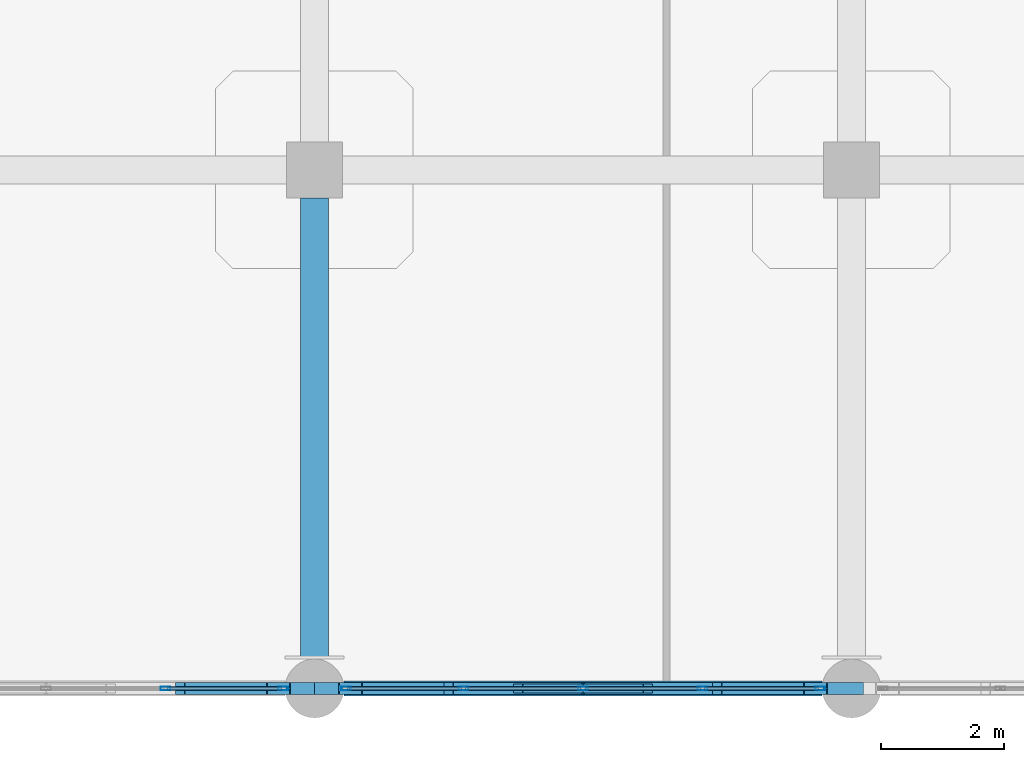
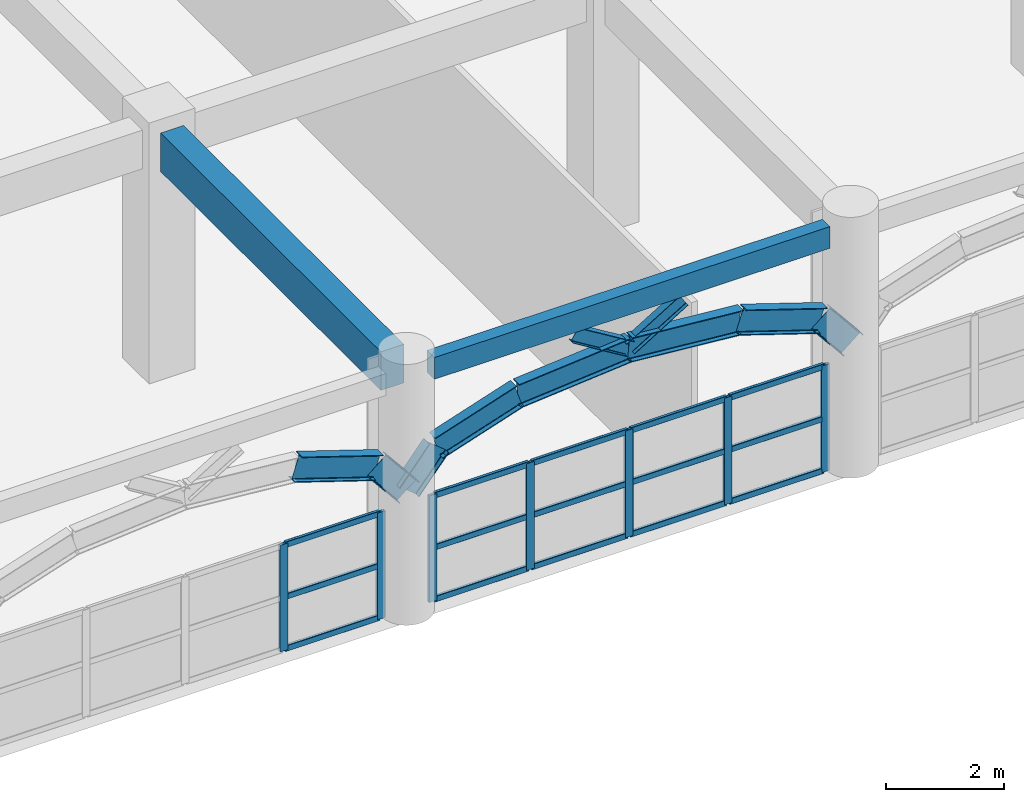
# One storey, part 12 of 114: 24 members, 10 beams, 2 elements without a shape of their own.
"""IFC4 building model written with IfcOpenShell, lengths in metres."""

from ifc_helpers import new_model, si_unit, derived_unit, direction, frame, origin, origin_2d, place, context, subcontext, project, spatial, rectangle, hollow_rectangle, i_section, extrude, material, layer, layer_set, material_profile, profile_set, type_object, element, aggregate, save


model = new_model("IFC4")

# Units and contexts
model_context = context("Model", 3, precision=1e-05, world=origin(), true_north=direction((0.0, 1.0)))
body_context = subcontext(model_context, "Body", "Model", "MODEL_VIEW")
ifc_project = project(units=[si_unit("LENGTHUNIT", "METRE"), si_unit("AREAUNIT", "SQUARE_METRE"), si_unit("VOLUMEUNIT", "CUBIC_METRE"), si_unit("PLANEANGLEUNIT", "RADIAN"), si_unit("MASSUNIT", "GRAM", prefix="KILO"), derived_unit("THERMALTRANSMITTANCEUNIT", [(si_unit("MASSUNIT", "GRAM", prefix="KILO"), 1), (si_unit("TIMEUNIT", "SECOND"), -3), (si_unit("THERMODYNAMICTEMPERATUREUNIT", "KELVIN"), -1)])], contexts=[model_context])

# Site, building, storey
site_placement = place(None, origin())
site = spatial("IfcSite", under=ifc_project, at=site_placement, CompositionType="ELEMENT")
building_placement = place(site_placement, origin())
building = spatial("IfcBuilding", under=site, at=building_placement, Name="Qinzheling Arcade Emporium", CompositionType="ELEMENT")
storey_placement = place(building_placement, frame((0.0, 0.0, 6.0)))
storey = spatial("IfcBuildingStorey", under=building, at=storey_placement, Name="L02", CompositionType="ELEMENT", Elevation=6.0)

# Beams
ifc_material_1 = material(Name="Weathering steel Q355NH", Category="steel")
ifc_material_profile_1 = material_profile(ifc_material_1, i_section(OverallWidth=0.199951171875, OverallDepth=0.5, WebThickness=0.010009765625, FlangeThickness=0.01611328125, FilletRadius=0.01806640625, at=origin_2d()), Name="HN 500x200x10x16", Category="steel")
ifc_profile_set_1 = profile_set([ifc_material_profile_1], Name="Weathering steel Q355NH")
beam_type_1 = type_object("IfcBeamType", Name="Arcade End Arch Rib HN500 Q355NH", PredefinedType="BEAM", material=ifc_profile_set_1)
beam_1_placement = place(storey_placement, frame((32.625, 0.0, 3.708984375), z_axis=(0.950403395584, 0.0, -0.311019912004), x_axis=(0.0, 1.0, 0.0)))
element("IfcBeam", 1, at=beam_1_placement, inside=storey, type_object=beam_type_1, Name="Street Entrance Arch ARC-L02-S01-C05", PredefinedType="BEAM", context=body_context, shape_type="SweptSolid", body=[
    extrude(i_section(OverallWidth=0.199951171875, OverallDepth=0.5, WebThickness=0.010009765625, FlangeThickness=0.01611328125, FilletRadius=0.01806640625, at=origin_2d()), origin(), (0.0, 0.0, 1.0), 1.675048828125),
])
for number, where, z_axis, x_axis, name in (
    (2, (34.217041015625, 0.0, 3.18798828125), (0.633064539161, 0.0, -0.774099017734), (0.0, 1.0, 0.0), "Street Entrance Arch ARC-L02-S01-C06"),
    (3, (34.800048828125, 0.0, 2.47509765625), (0.633064539161, 0.0, 0.774099017734), (0.0, 1.0, 0.0), "Street Entrance Arch ARC-L02-S02-C01"),
):
    element("IfcBeam", number, at=place(storey_placement, frame(where, z_axis=z_axis, x_axis=x_axis)), inside=storey, type_object=beam_type_1, Name=name, PredefinedType="BEAM", context=body_context, shape_type="SweptSolid", body=[
        extrude(i_section(OverallWidth=0.199951171875, OverallDepth=0.5, WebThickness=0.010009765625, FlangeThickness=0.01611328125, FilletRadius=0.01806640625, at=origin_2d()), origin(), (0.0, 0.0, 1.0), 0.9208984375),
    ])
beam_2_placement = place(storey_placement, frame((35.383056640625, 0.0, 3.18798828125), z_axis=(0.950403395584, 0.0, 0.311019912004), x_axis=(0.0, 1.0, 0.0)))
element("IfcBeam", 4, at=beam_2_placement, inside=storey, type_object=beam_type_1, Name="Street Entrance Arch ARC-L02-S02-C02", PredefinedType="BEAM", context=body_context, shape_type="SweptSolid", body=[
    extrude(i_section(OverallWidth=0.199951171875, OverallDepth=0.5, WebThickness=0.010009765625, FlangeThickness=0.01611328125, FilletRadius=0.01806640625, at=origin_2d()), origin(), (0.0, 0.0, 1.0), 1.675048828125),
])
beam_3_placement = place(storey_placement, frame((36.97509765625, 0.0, 3.708984375), z_axis=(0.996168915135, 0.0, 0.087449942932), x_axis=(0.0, 1.0, 0.0)))
element("IfcBeam", 5, at=beam_3_placement, inside=storey, type_object=beam_type_1, Name="Street Entrance Arch ARC-L02-S02-C03", PredefinedType="BEAM", context=body_context, shape_type="SweptSolid", body=[
    extrude(i_section(OverallWidth=0.199951171875, OverallDepth=0.5, WebThickness=0.010009765625, FlangeThickness=0.01611328125, FilletRadius=0.01806640625, at=origin_2d()), origin(), (0.0, 0.0, 1.0), 2.18310546875),
])
beam_4_placement = place(storey_placement, frame((39.14990234375, 0.0, 3.89990234375), z_axis=(0.9961697702, 0.0, -0.087440202076), x_axis=(0.0, 1.0, 0.0)))
element("IfcBeam", 6, at=beam_4_placement, inside=storey, type_object=beam_type_1, Name="Street Entrance Arch ARC-L02-S02-C04", PredefinedType="BEAM", context=body_context, shape_type="SweptSolid", body=[
    extrude(i_section(OverallWidth=0.199951171875, OverallDepth=0.5, WebThickness=0.010009765625, FlangeThickness=0.01611328125, FilletRadius=0.01806640625, at=origin_2d()), origin(), (0.0, 0.0, 1.0), 2.183349609375),
])
beam_5_placement = place(storey_placement, frame((41.324951171875, 0.0, 3.708984375), z_axis=(0.950403395584, 0.0, -0.311019912004), x_axis=(0.0, 1.0, 0.0)))
element("IfcBeam", 7, at=beam_5_placement, inside=storey, type_object=beam_type_1, Name="Street Entrance Arch ARC-L02-S02-C05", PredefinedType="BEAM", context=body_context, shape_type="SweptSolid", body=[
    extrude(i_section(OverallWidth=0.199951171875, OverallDepth=0.5, WebThickness=0.010009765625, FlangeThickness=0.01611328125, FilletRadius=0.01806640625, at=origin_2d()), origin(), (0.0, 0.0, 1.0), 1.675048828125),
])
beam_6_placement = place(storey_placement, frame((42.9169921875, 0.0, 3.18798828125), z_axis=(0.633064539161, 0.0, -0.774099017734), x_axis=(0.0, 1.0, 0.0)))
element("IfcBeam", 8, at=beam_6_placement, inside=storey, type_object=beam_type_1, Name="Street Entrance Arch ARC-L02-S02-C06", PredefinedType="BEAM", context=body_context, shape_type="SweptSolid", body=[
    extrude(i_section(OverallWidth=0.199951171875, OverallDepth=0.5, WebThickness=0.010009765625, FlangeThickness=0.01611328125, FilletRadius=0.01806640625, at=origin_2d()), origin(), (0.0, 0.0, 1.0), 0.9208984375),
])

# Members
ifc_material_profile_2 = material_profile(ifc_material_1, i_section(OverallWidth=0.14990234375, OverallDepth=0.300048828125, WebThickness=0.006591796875, FlangeThickness=0.009033203125, FilletRadius=0.012939453125, at=origin_2d()), Name="HN 300x150x6.5x9", Category="steel")
ifc_profile_set_2 = profile_set([ifc_material_profile_2], Name="Weathering steel Q355NH")
member_type_1 = type_object("IfcMemberType", Name="Arcade Spandrel Web Chord HN300 Q355NH", PredefinedType="CHORD", material=ifc_profile_set_2)
member_1_placement = place(storey_placement, frame((39.14990234375, 0.0, 3.909912109375), z_axis=(-0.853791870556, 0.0, 0.52061448479), x_axis=(0.0, -1.0, 0.0)))
element("IfcMember", 9, at=member_1_placement, inside=storey, type_object=member_type_1, Name="Street Spandrel Web Chord ASW-L02-S02-W1", PredefinedType="CHORD", context=body_context, shape_type="SweptSolid", body=[
    extrude(i_section(OverallWidth=0.14990234375, OverallDepth=0.300048828125, WebThickness=0.006591796875, FlangeThickness=0.009033203125, FilletRadius=0.012939453125, at=origin_2d()), origin(), (0.0, 0.0, 1.0), 1.2294921875),
])
member_2_placement = place(storey_placement, frame((39.14990234375, 0.0, 3.909912109375), z_axis=(0.853845673448, 0.0, 0.520526239428), x_axis=(0.0, 1.0, 0.0)))
element("IfcMember", 10, at=member_2_placement, inside=storey, type_object=member_type_1, Name="Street Spandrel Web Chord ASW-L02-S02-W2", PredefinedType="CHORD", context=body_context, shape_type="SweptSolid", body=[
    extrude(i_section(OverallWidth=0.14990234375, OverallDepth=0.300048828125, WebThickness=0.006591796875, FlangeThickness=0.009033203125, FilletRadius=0.012939453125, at=origin_2d()), origin(), (0.0, 0.0, 1.0), 1.229736328125),
])

# Curtain wall, members
ifc_material_2 = material(Name="Anodised aluminium and solar-control double glazing", Category="aluminium")
ifc_layer = layer(ifc_material_2, 0.159912109375, Name="Anodised aluminium and solar-control double glazing", Category="aluminium")
ifc_layer_set = layer_set([ifc_layer], Name="Anodised aluminium and solar-control double glazing")
curtain_wall_type = type_object("IfcCurtainWallType", Name="Arcade Portal Glazed Curtain Wall", PredefinedType="NOTDEFINED", material=ifc_layer_set)
curtain_wall_1_placement = place(storey_placement, origin())
curtain_wall_1 = element("IfcCurtainWall", 11, at=curtain_wall_1_placement, inside=storey, type_object=curtain_wall_type, Name="Curtain Wall CW-L02-071", PredefinedType="NOTDEFINED")
ifc_material_3 = material(Name="Anodised aluminium 6063-T6", Category="aluminium")
ifc_material_profile_3 = material_profile(ifc_material_3, hollow_rectangle(XDim=0.06005859375, YDim=0.159912109375, WallThickness=0.00390625, InnerFilletRadius=0.00390625, OuterFilletRadius=0.008056640625, at=origin_2d()), Name="RHS 160x60x4", Category="aluminium")
ifc_profile_set_3 = profile_set([ifc_material_profile_3], Name="Anodised aluminium 6063-T6")
member_type_2 = type_object("IfcMemberType", Name="Curtain Wall Mullion RHS160x60", PredefinedType="MULLION", material=ifc_profile_set_3)
member_3_placement = place(storey_placement, frame((42.992919921875, 0.0, 0.0), z_axis=(0.0, 0.0, 1.0), x_axis=(0.0, -1.0, 0.0)))
member_3 = element("IfcMember", 12, at=member_3_placement, type_object=member_type_2, Name="CW05 mullion 1", PredefinedType="MULLION", context=body_context, shape_type="SweptSolid", body=[
    extrude(hollow_rectangle(XDim=0.06005859375, YDim=0.159912109375, WallThickness=0.00390625, InnerFilletRadius=0.00390625, OuterFilletRadius=0.008056640625, at=origin_2d()), origin(), (0.0, 0.0, 1.0), 2.2099609375),
])
member_4_placement = place(storey_placement, frame((41.08642578125, 0.0, 0.0), z_axis=(0.0, 0.0, 1.0), x_axis=(0.0, -1.0, 0.0)))
member_4 = element("IfcMember", 13, at=member_4_placement, type_object=member_type_2, Name="CW05 mullion 2", PredefinedType="MULLION", context=body_context, shape_type="SweptSolid", body=[
    extrude(hollow_rectangle(XDim=0.06005859375, YDim=0.159912109375, WallThickness=0.00390625, InnerFilletRadius=0.00390625, OuterFilletRadius=0.008056640625, at=origin_2d()), origin(), (0.0, 0.0, 1.0), 2.2099609375),
])
member_5_placement = place(storey_placement, frame((39.14990234375, 0.0, 0.0), z_axis=(0.0, 0.0, 1.0), x_axis=(0.0, -1.0, 0.0)))
member_5 = element("IfcMember", 14, at=member_5_placement, type_object=member_type_2, Name="CW05 mullion 3", PredefinedType="MULLION", context=body_context, shape_type="SweptSolid", body=[
    extrude(hollow_rectangle(XDim=0.06005859375, YDim=0.159912109375, WallThickness=0.00390625, InnerFilletRadius=0.00390625, OuterFilletRadius=0.008056640625, at=origin_2d()), origin(), (0.0, 0.0, 1.0), 2.2099609375),
])
member_6_placement = place(storey_placement, frame((37.21337890625, 0.0, 0.0), z_axis=(0.0, 0.0, 1.0), x_axis=(0.0, -1.0, 0.0)))
member_6 = element("IfcMember", 15, at=member_6_placement, type_object=member_type_2, Name="CW05 mullion 4", PredefinedType="MULLION", context=body_context, shape_type="SweptSolid", body=[
    extrude(hollow_rectangle(XDim=0.06005859375, YDim=0.159912109375, WallThickness=0.00390625, InnerFilletRadius=0.00390625, OuterFilletRadius=0.008056640625, at=origin_2d()), origin(), (0.0, 0.0, 1.0), 2.2099609375),
])
member_7_placement = place(storey_placement, frame((35.306884765625, 0.0, 0.0), z_axis=(0.0, 0.0, 1.0), x_axis=(0.0, -1.0, 0.0)))
member_7 = element("IfcMember", 16, at=member_7_placement, type_object=member_type_2, Name="CW05 mullion 5", PredefinedType="MULLION", context=body_context, shape_type="SweptSolid", body=[
    extrude(hollow_rectangle(XDim=0.06005859375, YDim=0.159912109375, WallThickness=0.00390625, InnerFilletRadius=0.00390625, OuterFilletRadius=0.008056640625, at=origin_2d()), origin(), (0.0, 0.0, 1.0), 2.2099609375),
])

curtain_wall_2_placement = place(storey_placement, origin())
curtain_wall_2 = element("IfcCurtainWall", 17, at=curtain_wall_2_placement, inside=storey, type_object=curtain_wall_type, Name="Curtain Wall CW-L02-072", PredefinedType="NOTDEFINED")
member_8_placement = place(storey_placement, frame((34.29296875, 0.0, 0.0), z_axis=(0.0, 0.0, 1.0), x_axis=(0.0, -1.0, 0.0)))
member_8 = element("IfcMember", 18, at=member_8_placement, type_object=member_type_2, Name="CW05 mullion 1", PredefinedType="MULLION", context=body_context, shape_type="SweptSolid", body=[
    extrude(hollow_rectangle(XDim=0.06005859375, YDim=0.159912109375, WallThickness=0.00390625, InnerFilletRadius=0.00390625, OuterFilletRadius=0.008056640625, at=origin_2d()), origin(), (0.0, 0.0, 1.0), 2.2099609375),
])
member_9_placement = place(storey_placement, frame((32.386474609375, 0.0, 0.0), z_axis=(0.0, 0.0, 1.0), x_axis=(0.0, -1.0, 0.0)))
member_9 = element("IfcMember", 19, at=member_9_placement, type_object=member_type_2, Name="CW05 mullion 2", PredefinedType="MULLION", context=body_context, shape_type="SweptSolid", body=[
    extrude(hollow_rectangle(XDim=0.06005859375, YDim=0.159912109375, WallThickness=0.00390625, InnerFilletRadius=0.00390625, OuterFilletRadius=0.008056640625, at=origin_2d()), origin(), (0.0, 0.0, 1.0), 2.2099609375),
])

# Member
ifc_material_profile_4 = material_profile(ifc_material_3, hollow_rectangle(XDim=0.06005859375, YDim=0.1201171875, WallThickness=0.00390625, InnerFilletRadius=0.00390625, OuterFilletRadius=0.008056640625, at=origin_2d()), Name="RHS 120x60x4", Category="aluminium")
ifc_profile_set_4 = profile_set([ifc_material_profile_4], Name="Anodised aluminium 6063-T6")
member_type_3 = type_object("IfcMemberType", Name="Curtain Wall Transom RHS120x60", PredefinedType="USERDEFINED", material=ifc_profile_set_4)
member_10_placement = place(storey_placement, frame((42.962890625, 0.0, 0.030029296875), z_axis=(-1.0, 0.0, 0.0), x_axis=(0.0, -1.0, 0.0)))
member_10 = element("IfcMember", 20, at=member_10_placement, type_object=member_type_3, Name="CW05 transom 1.1", ObjectType="TRANSOM", PredefinedType="USERDEFINED", context=body_context, shape_type="SweptSolid", body=[
    extrude(hollow_rectangle(XDim=0.06005859375, YDim=0.1201171875, WallThickness=0.00390625, InnerFilletRadius=0.00390625, OuterFilletRadius=0.008056640625, at=origin_2d()), origin(), (0.0, 0.0, 1.0), 1.846435546875),
])

member_11_placement = place(storey_placement, frame((42.962890625, 0.0, 1.10498046875), z_axis=(-1.0, 0.0, 0.0), x_axis=(0.0, -1.0, 0.0)))
member_11 = element("IfcMember", 21, at=member_11_placement, type_object=member_type_3, Name="CW05 transom 1.2", ObjectType="TRANSOM", PredefinedType="USERDEFINED", context=body_context, shape_type="SweptSolid", body=[
    extrude(hollow_rectangle(XDim=0.06005859375, YDim=0.1201171875, WallThickness=0.00390625, InnerFilletRadius=0.00390625, OuterFilletRadius=0.008056640625, at=origin_2d()), origin(), (0.0, 0.0, 1.0), 1.846435546875),
])

member_12_placement = place(storey_placement, frame((42.962890625, 0.0, 2.179931640625), z_axis=(-1.0, 0.0, 0.0), x_axis=(0.0, -1.0, 0.0)))
member_12 = element("IfcMember", 22, at=member_12_placement, type_object=member_type_3, Name="CW05 transom 1.3", ObjectType="TRANSOM", PredefinedType="USERDEFINED", context=body_context, shape_type="SweptSolid", body=[
    extrude(hollow_rectangle(XDim=0.06005859375, YDim=0.1201171875, WallThickness=0.00390625, InnerFilletRadius=0.00390625, OuterFilletRadius=0.008056640625, at=origin_2d()), origin(), (0.0, 0.0, 1.0), 1.846435546875),
])

member_13_placement = place(storey_placement, frame((41.056396484375, 0.0, 0.030029296875), z_axis=(-1.0, 0.0, 0.0), x_axis=(0.0, -1.0, 0.0)))
member_13 = element("IfcMember", 23, at=member_13_placement, type_object=member_type_3, Name="CW05 transom 2.1", ObjectType="TRANSOM", PredefinedType="USERDEFINED", context=body_context, shape_type="SweptSolid", body=[
    extrude(hollow_rectangle(XDim=0.06005859375, YDim=0.1201171875, WallThickness=0.00390625, InnerFilletRadius=0.00390625, OuterFilletRadius=0.008056640625, at=origin_2d()), origin(), (0.0, 0.0, 1.0), 1.87646484375),
])

member_14_placement = place(storey_placement, frame((41.056396484375, 0.0, 1.10498046875), z_axis=(-1.0, 0.0, 0.0), x_axis=(0.0, -1.0, 0.0)))
member_14 = element("IfcMember", 24, at=member_14_placement, type_object=member_type_3, Name="CW05 transom 2.2", ObjectType="TRANSOM", PredefinedType="USERDEFINED", context=body_context, shape_type="SweptSolid", body=[
    extrude(hollow_rectangle(XDim=0.06005859375, YDim=0.1201171875, WallThickness=0.00390625, InnerFilletRadius=0.00390625, OuterFilletRadius=0.008056640625, at=origin_2d()), origin(), (0.0, 0.0, 1.0), 1.87646484375),
])

member_15_placement = place(storey_placement, frame((41.056396484375, 0.0, 2.179931640625), z_axis=(-1.0, 0.0, 0.0), x_axis=(0.0, -1.0, 0.0)))
member_15 = element("IfcMember", 25, at=member_15_placement, type_object=member_type_3, Name="CW05 transom 2.3", ObjectType="TRANSOM", PredefinedType="USERDEFINED", context=body_context, shape_type="SweptSolid", body=[
    extrude(hollow_rectangle(XDim=0.06005859375, YDim=0.1201171875, WallThickness=0.00390625, InnerFilletRadius=0.00390625, OuterFilletRadius=0.008056640625, at=origin_2d()), origin(), (0.0, 0.0, 1.0), 1.87646484375),
])

member_16_placement = place(storey_placement, frame((39.1201171875, 0.0, 0.030029296875), z_axis=(-1.0, 0.0, 0.0), x_axis=(0.0, -1.0, 0.0)))
member_16 = element("IfcMember", 26, at=member_16_placement, type_object=member_type_3, Name="CW05 transom 3.1", ObjectType="TRANSOM", PredefinedType="USERDEFINED", context=body_context, shape_type="SweptSolid", body=[
    extrude(hollow_rectangle(XDim=0.06005859375, YDim=0.1201171875, WallThickness=0.00390625, InnerFilletRadius=0.00390625, OuterFilletRadius=0.008056640625, at=origin_2d()), origin(), (0.0, 0.0, 1.0), 1.876708984375),
])

member_17_placement = place(storey_placement, frame((39.1201171875, 0.0, 1.10498046875), z_axis=(-1.0, 0.0, 0.0), x_axis=(0.0, -1.0, 0.0)))
member_17 = element("IfcMember", 27, at=member_17_placement, type_object=member_type_3, Name="CW05 transom 3.2", ObjectType="TRANSOM", PredefinedType="USERDEFINED", context=body_context, shape_type="SweptSolid", body=[
    extrude(hollow_rectangle(XDim=0.06005859375, YDim=0.1201171875, WallThickness=0.00390625, InnerFilletRadius=0.00390625, OuterFilletRadius=0.008056640625, at=origin_2d()), origin(), (0.0, 0.0, 1.0), 1.876708984375),
])

member_18_placement = place(storey_placement, frame((39.1201171875, 0.0, 2.179931640625), z_axis=(-1.0, 0.0, 0.0), x_axis=(0.0, -1.0, 0.0)))
member_18 = element("IfcMember", 28, at=member_18_placement, type_object=member_type_3, Name="CW05 transom 3.3", ObjectType="TRANSOM", PredefinedType="USERDEFINED", context=body_context, shape_type="SweptSolid", body=[
    extrude(hollow_rectangle(XDim=0.06005859375, YDim=0.1201171875, WallThickness=0.00390625, InnerFilletRadius=0.00390625, OuterFilletRadius=0.008056640625, at=origin_2d()), origin(), (0.0, 0.0, 1.0), 1.876708984375),
])

member_19_placement = place(storey_placement, frame((37.18359375, 0.0, 0.030029296875), z_axis=(-1.0, 0.0, 0.0), x_axis=(0.0, -1.0, 0.0)))
member_19 = element("IfcMember", 29, at=member_19_placement, type_object=member_type_3, Name="CW05 transom 4.1", ObjectType="TRANSOM", PredefinedType="USERDEFINED", context=body_context, shape_type="SweptSolid", body=[
    extrude(hollow_rectangle(XDim=0.06005859375, YDim=0.1201171875, WallThickness=0.00390625, InnerFilletRadius=0.00390625, OuterFilletRadius=0.008056640625, at=origin_2d()), origin(), (0.0, 0.0, 1.0), 1.8466796875),
])

member_20_placement = place(storey_placement, frame((37.18359375, 0.0, 1.10498046875), z_axis=(-1.0, 0.0, 0.0), x_axis=(0.0, -1.0, 0.0)))
member_20 = element("IfcMember", 30, at=member_20_placement, type_object=member_type_3, Name="CW05 transom 4.2", ObjectType="TRANSOM", PredefinedType="USERDEFINED", context=body_context, shape_type="SweptSolid", body=[
    extrude(hollow_rectangle(XDim=0.06005859375, YDim=0.1201171875, WallThickness=0.00390625, InnerFilletRadius=0.00390625, OuterFilletRadius=0.008056640625, at=origin_2d()), origin(), (0.0, 0.0, 1.0), 1.8466796875),
])

member_21_placement = place(storey_placement, frame((37.18359375, 0.0, 2.179931640625), z_axis=(-1.0, 0.0, 0.0), x_axis=(0.0, -1.0, 0.0)))
member_21 = element("IfcMember", 31, at=member_21_placement, type_object=member_type_3, Name="CW05 transom 4.3", ObjectType="TRANSOM", PredefinedType="USERDEFINED", context=body_context, shape_type="SweptSolid", body=[
    extrude(hollow_rectangle(XDim=0.06005859375, YDim=0.1201171875, WallThickness=0.00390625, InnerFilletRadius=0.00390625, OuterFilletRadius=0.008056640625, at=origin_2d()), origin(), (0.0, 0.0, 1.0), 1.8466796875),
])

aggregate(curtain_wall_1, [member_3, member_4, member_5, member_6, member_7, member_10, member_11, member_12, member_13, member_14, member_15, member_16, member_17, member_18, member_19, member_20, member_21])

member_22_placement = place(storey_placement, frame((34.262939453125, 0.0, 0.030029296875), z_axis=(-1.0, 0.0, 0.0), x_axis=(0.0, -1.0, 0.0)))
member_22 = element("IfcMember", 32, at=member_22_placement, type_object=member_type_3, Name="CW05 transom 1.1", ObjectType="TRANSOM", PredefinedType="USERDEFINED", context=body_context, shape_type="SweptSolid", body=[
    extrude(hollow_rectangle(XDim=0.06005859375, YDim=0.1201171875, WallThickness=0.00390625, InnerFilletRadius=0.00390625, OuterFilletRadius=0.008056640625, at=origin_2d()), origin(), (0.0, 0.0, 1.0), 1.846435546875),
])

member_23_placement = place(storey_placement, frame((34.262939453125, 0.0, 1.10498046875), z_axis=(-1.0, 0.0, 0.0), x_axis=(0.0, -1.0, 0.0)))
member_23 = element("IfcMember", 33, at=member_23_placement, type_object=member_type_3, Name="CW05 transom 1.2", ObjectType="TRANSOM", PredefinedType="USERDEFINED", context=body_context, shape_type="SweptSolid", body=[
    extrude(hollow_rectangle(XDim=0.06005859375, YDim=0.1201171875, WallThickness=0.00390625, InnerFilletRadius=0.00390625, OuterFilletRadius=0.008056640625, at=origin_2d()), origin(), (0.0, 0.0, 1.0), 1.846435546875),
])

member_24_placement = place(storey_placement, frame((34.262939453125, 0.0, 2.179931640625), z_axis=(-1.0, 0.0, 0.0), x_axis=(0.0, -1.0, 0.0)))
member_24 = element("IfcMember", 34, at=member_24_placement, type_object=member_type_3, Name="CW05 transom 1.3", ObjectType="TRANSOM", PredefinedType="USERDEFINED", context=body_context, shape_type="SweptSolid", body=[
    extrude(hollow_rectangle(XDim=0.06005859375, YDim=0.1201171875, WallThickness=0.00390625, InnerFilletRadius=0.00390625, OuterFilletRadius=0.008056640625, at=origin_2d()), origin(), (0.0, 0.0, 1.0), 1.846435546875),
])

aggregate(curtain_wall_2, [member_8, member_9, member_22, member_23, member_24])

# Beams
ifc_material_4 = material(Name="Concrete C40", Category="concrete")
ifc_material_profile_5 = material_profile(ifc_material_4, rectangle(XDim=0.25, YDim=0.449951171875, at=origin_2d()), Name="RC 250x450", Category="concrete")
ifc_profile_set_5 = profile_set([ifc_material_profile_5], Name="Concrete C40")
beam_type_2 = type_object("IfcBeamType", Name="RC Opening Lintel Beam 250x450 C40", PredefinedType="LINTEL", material=ifc_profile_set_5)
beam_7_placement = place(storey_placement, frame((35.27490234375, 0.0, 4.89501953125), z_axis=(1.0, 0.0, 0.0), x_axis=(0.0, 1.0, 0.0)))
element("IfcBeam", 35, at=beam_7_placement, inside=storey, type_object=beam_type_2, Name="Beam BM-L02-X-A-5", PredefinedType="LINTEL", context=body_context, shape_type="SweptSolid", body=[
    extrude(rectangle(XDim=0.25, YDim=0.449951171875, at=origin_2d()), origin(), (0.0, 0.0, 1.0), 7.75),
])
ifc_material_profile_6 = material_profile(ifc_material_4, rectangle(XDim=0.449951171875, YDim=0.800048828125, at=origin_2d()), Name="RC 450x800", Category="concrete")
ifc_profile_set_6 = profile_set([ifc_material_profile_6], Name="Concrete C40")
beam_type_3 = type_object("IfcBeamType", Name="RC Primary Frame Beam 450x800 C40", PredefinedType="BEAM", material=ifc_profile_set_6)
beam_8_placement = place(storey_placement, frame((34.800048828125, 0.47509765625, 4.719970703125), z_axis=(0.0, 1.0, 0.0), x_axis=(-1.0, 0.0, 0.0)))
element("IfcBeam", 36, at=beam_8_placement, inside=storey, type_object=beam_type_3, Name="Beam BM-L02-Y-5-A", PredefinedType="BEAM", context=body_context, shape_type="SweptSolid", body=[
    extrude(rectangle(XDim=0.449951171875, YDim=0.800048828125, at=origin_2d()), origin(), (0.0, 0.0, 1.0), 7.474853515625),
])

save(model, "model.ifc")
